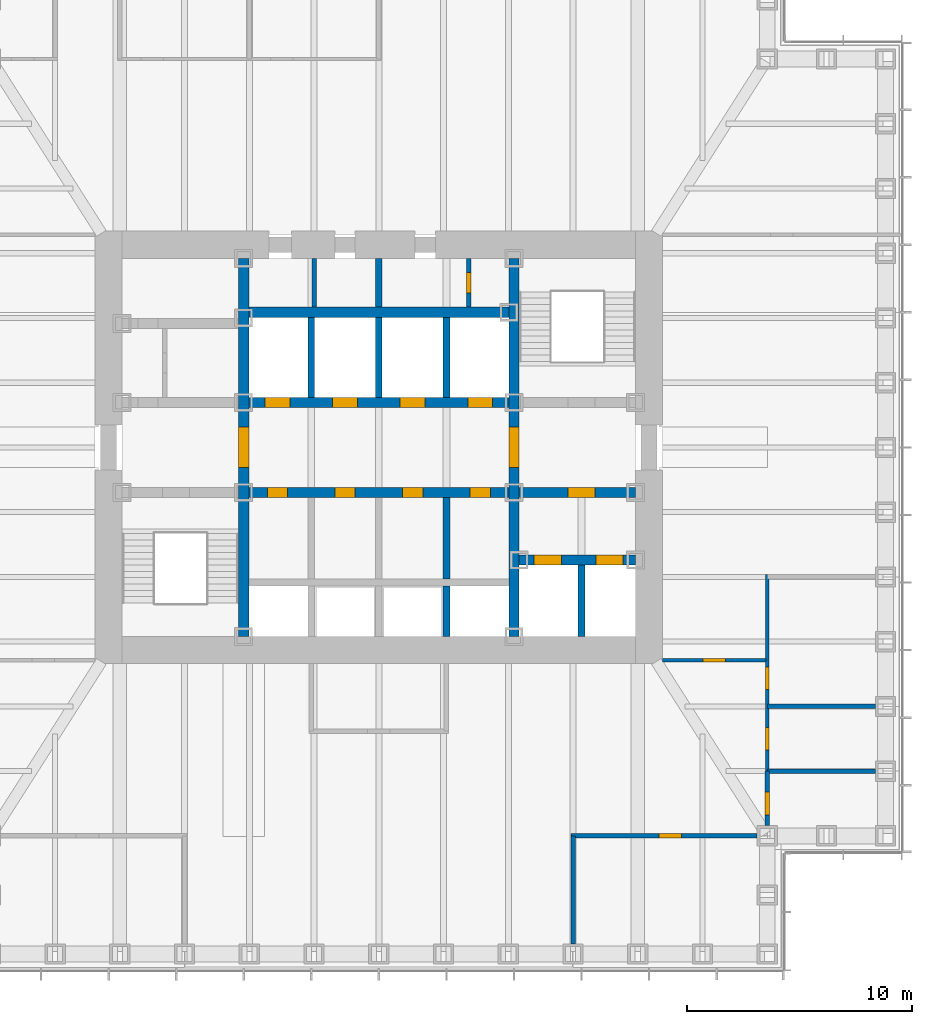
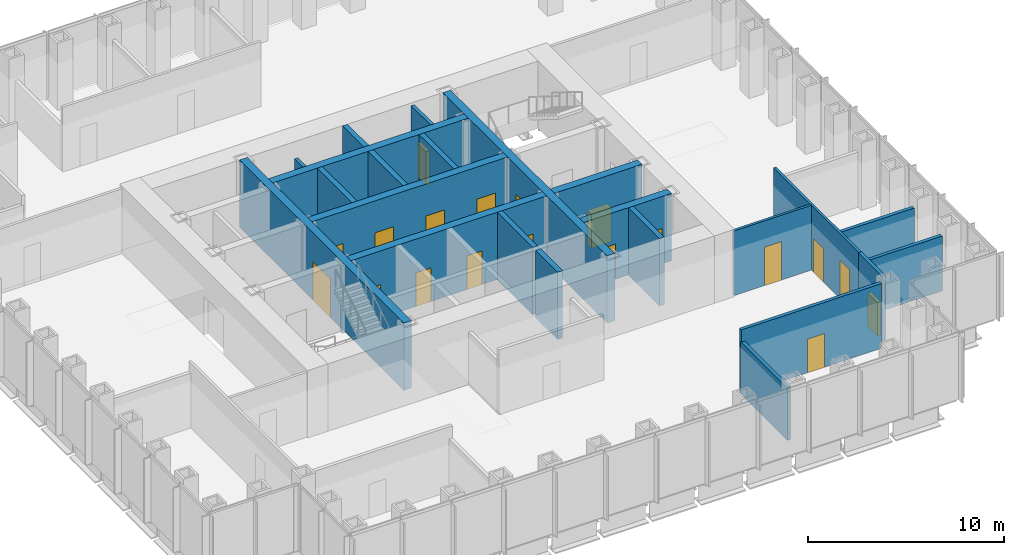
# One storey, part 9 of 16: 23 walls, 19 doors, 19 openings.
"""IFC4 building model written with IfcOpenShell, lengths in metres."""

from ifc_helpers import new_model, si_unit, direction, frame, frame_2d, origin, place, context, subcontext, project, spatial, rectangle, extrude, material, layer, layer_set, type_object, element, fill, save


model = new_model("IFC4")

# Units and contexts
model_context = context("Model", 3, precision=1e-05, world=origin(), true_north=direction((0.0, 1.0)))
body_context = subcontext(model_context, "Body", "Model", "MODEL_VIEW")
ifc_project = project(units=[si_unit("LENGTHUNIT", "METRE"), si_unit("AREAUNIT", "SQUARE_METRE"), si_unit("VOLUMEUNIT", "CUBIC_METRE"), si_unit("PLANEANGLEUNIT", "RADIAN"), si_unit("MASSUNIT", "GRAM", prefix="KILO")], contexts=[model_context])

# Site, building, storey
site_placement = place(None, origin())
site = spatial("IfcSite", under=ifc_project, at=site_placement, CompositionType="ELEMENT")
building_placement = place(site_placement, origin())
building = spatial("IfcBuilding", under=site, at=building_placement, Name="Daluyong Arena Tower", CompositionType="ELEMENT")
storey_placement = place(building_placement, frame((0.0, 0.0, 141.699951171875)))
storey = spatial("IfcBuildingStorey", under=building, at=storey_placement, Name="L31", CompositionType="ELEMENT", Elevation=141.699951171875)

# Wall, opening, door
ifc_material_1 = material(Name="Concrete fc' 45 MPa", Category="concrete")
ifc_layer_1 = layer(ifc_material_1, 0.449951171875)
ifc_layer_set_1 = layer_set([ifc_layer_1], Name="Concrete fc' 45 MPa")
wall_type_1 = type_object("IfcWallType", Name="Core inner wall 450", PredefinedType="SHEAR", material=ifc_layer_set_1)
wall_1_placement = place(storey_placement, frame((50.0, 71.60009765625, 0.0), z_axis=(0.0, 0.0, 1.0), x_axis=(0.0, 1.0, 0.0)))
wall_1 = element("IfcWall", 1, at=wall_1_placement, inside=storey, type_object=wall_type_1, Name="core inner wall at L31", PredefinedType="SHEAR", context=body_context, shape_type="SweptSolid", body=[
    extrude(rectangle(XDim=16.7998046875, YDim=0.449951171875, at=frame_2d((8.39990234375, 0.0))), origin(), (0.0, 0.0, 1.0), 4.199951171875),
])
opening_1_placement = place(wall_1_placement, frame((7.5, 0.0, 0.0)))
opening_1 = element("IfcOpeningElement", 2, at=opening_1_placement, cuts=wall_1, Name="Opening 31016", PredefinedType="OPENING", context=body_context, shape_type="SweptSolid", body=[
    extrude(rectangle(XDim=1.800048828125, YDim=2.39990234375, at=frame_2d((0.89990234375, 1.199951171875))), frame((0.0, 0.23486328125, 0.0), z_axis=(0.0, -1.0, 0.0), x_axis=(1.0, 0.0, 0.0)), (0.0, 0.0, 1.0), 0.469970703125),
])
ifc_material_2 = material(Name="Steel door, fire rated", Category="steel")
door_type_1 = type_object("IfcDoorType", Name="Lift lobby opening door 1800", OperationType="DOUBLE_DOOR_SINGLE_SWING", PredefinedType="DOOR", material=ifc_material_2)
door_1_placement = place(opening_1_placement, origin())
door_1 = element("IfcDoor", 3, at=door_1_placement, inside=storey, type_object=door_type_1, Name="lift lobby door west 31016", OperationType="DOUBLE_DOOR_SINGLE_SWING", OverallHeight=2.39990234375, OverallWidth=1.800048828125, PredefinedType="DOOR", context=body_context, shape_type="SweptSolid", body=[
    extrude(rectangle(XDim=1.800048828125, YDim=2.39990234375, at=frame_2d((0.89990234375, 1.199951171875))), frame((0.0, 0.224609375, 0.0), z_axis=(0.0, -1.0, 0.0), x_axis=(1.0, 0.0, 0.0)), (0.0, 0.0, 1.0), 0.449462890625),
])
fill(opening_1, door_1)

wall_2_placement = place(storey_placement, frame((62.0, 71.60009765625, 0.0), z_axis=(0.0, 0.0, 1.0), x_axis=(0.0, 1.0, 0.0)))
wall_2 = element("IfcWall", 4, at=wall_2_placement, inside=storey, type_object=wall_type_1, Name="core inner wall at L31", PredefinedType="SHEAR", context=body_context, shape_type="SweptSolid", body=[
    extrude(rectangle(XDim=16.7998046875, YDim=0.449951171875, at=frame_2d((8.39990234375, 0.0))), origin(), (0.0, 0.0, 1.0), 4.199951171875),
])
opening_2_placement = place(wall_2_placement, frame((7.5, 0.0, 0.0)))
opening_2 = element("IfcOpeningElement", 5, at=opening_2_placement, cuts=wall_2, Name="Opening 31017", PredefinedType="OPENING", context=body_context, shape_type="SweptSolid", body=[
    extrude(rectangle(XDim=1.800048828125, YDim=2.39990234375, at=frame_2d((0.89990234375, 1.199951171875))), frame((0.0, 0.23486328125, 0.0), z_axis=(0.0, -1.0, 0.0), x_axis=(1.0, 0.0, 0.0)), (0.0, 0.0, 1.0), 0.469970703125),
])
door_2_placement = place(opening_2_placement, origin())
door_2 = element("IfcDoor", 6, at=door_2_placement, inside=storey, type_object=door_type_1, Name="lift lobby door east 31017", OperationType="DOUBLE_DOOR_SINGLE_SWING", OverallHeight=2.39990234375, OverallWidth=1.800048828125, PredefinedType="DOOR", context=body_context, shape_type="SweptSolid", body=[
    extrude(rectangle(XDim=1.800048828125, YDim=2.39990234375, at=frame_2d((0.89990234375, 1.199951171875))), frame((0.0, 0.224609375, 0.0), z_axis=(0.0, -1.0, 0.0), x_axis=(1.0, 0.0, 0.0)), (0.0, 0.0, 1.0), 0.449462890625),
])
fill(opening_2, door_2)

# Wall, openings, doors
wall_3_placement = place(storey_placement, frame((62.22509765625, 75.0, 0.0), z_axis=(0.0, 0.0, 1.0), x_axis=(1.0, 0.0, 0.0)))
wall_3 = element("IfcWall", 7, at=wall_3_placement, inside=storey, type_object=wall_type_1, Name="core inner wall at L31", PredefinedType="SHEAR", context=body_context, shape_type="SweptSolid", body=[
    extrude(rectangle(XDim=5.1748046875, YDim=0.449951171875, at=frame_2d((2.58740234375, 0.0))), origin(), (0.0, 0.0, 1.0), 4.199951171875),
])
opening_3_placement = place(wall_3_placement, frame((0.675048828125, 0.0, 0.0)))
opening_3 = element("IfcOpeningElement", 8, at=opening_3_placement, cuts=wall_3, Name="Opening 31023", PredefinedType="OPENING", context=body_context, shape_type="SweptSolid", body=[
    extrude(rectangle(XDim=1.199951171875, YDim=2.199951171875, at=frame_2d((0.60009765625, 1.10009765625))), frame((0.0, 0.23486328125, 0.0), z_axis=(0.0, -1.0, 0.0), x_axis=(1.0, 0.0, 0.0)), (0.0, 0.0, 1.0), 0.469970703125),
])
opening_4_placement = place(wall_3_placement, frame((3.425048828125, 0.0, 0.0)))
opening_4 = element("IfcOpeningElement", 9, at=opening_4_placement, cuts=wall_3, Name="Opening 31024", PredefinedType="OPENING", context=body_context, shape_type="SweptSolid", body=[
    extrude(rectangle(XDim=1.199951171875, YDim=2.199951171875, at=frame_2d((0.60009765625, 1.10009765625))), frame((0.0, 0.23486328125, 0.0), z_axis=(0.0, -1.0, 0.0), x_axis=(1.0, 0.0, 0.0)), (0.0, 0.0, 1.0), 0.469970703125),
])
ifc_material_3 = material(Name="Steel door, fire rated", Category="steel")
door_type_2 = type_object("IfcDoorType", Name="Firefighting lift landing door 1200", OperationType="SLIDING_TO_LEFT", PredefinedType="DOOR", material=ifc_material_3)
door_3_placement = place(opening_3_placement, origin())
door_3 = element("IfcDoor", 10, at=door_3_placement, inside=storey, type_object=door_type_2, Name="firefighting lift landing door F1 31023", OperationType="SLIDING_TO_LEFT", OverallHeight=2.199951171875, OverallWidth=1.199951171875, PredefinedType="DOOR", context=body_context, shape_type="SweptSolid", body=[
    extrude(rectangle(XDim=1.199951171875, YDim=2.199951171875, at=frame_2d((0.60009765625, 1.10009765625))), frame((0.0, 0.224609375, 0.0), z_axis=(0.0, -1.0, 0.0), x_axis=(1.0, 0.0, 0.0)), (0.0, 0.0, 1.0), 0.449462890625),
])
fill(opening_3, door_3)
door_4_placement = place(opening_4_placement, origin())
door_4 = element("IfcDoor", 11, at=door_4_placement, inside=storey, type_object=door_type_2, Name="firefighting lift landing door F2 31024", OperationType="SLIDING_TO_LEFT", OverallHeight=2.199951171875, OverallWidth=1.199951171875, PredefinedType="DOOR", context=body_context, shape_type="SweptSolid", body=[
    extrude(rectangle(XDim=1.199951171875, YDim=2.199951171875, at=frame_2d((0.60009765625, 1.10009765625))), frame((0.0, 0.224609375, 0.0), z_axis=(0.0, -1.0, 0.0), x_axis=(1.0, 0.0, 0.0)), (0.0, 0.0, 1.0), 0.449462890625),
])
fill(opening_4, door_4)

# Wall, opening, door
wall_4_placement = place(storey_placement, frame((62.22509765625, 78.0, 0.0), z_axis=(0.0, 0.0, 1.0), x_axis=(1.0, 0.0, 0.0)))
wall_4 = element("IfcWall", 12, at=wall_4_placement, inside=storey, type_object=wall_type_1, Name="core inner wall at L31", PredefinedType="SHEAR", context=body_context, shape_type="SweptSolid", body=[
    extrude(rectangle(XDim=5.1748046875, YDim=0.449951171875, at=frame_2d((2.58740234375, 0.0))), origin(), (0.0, 0.0, 1.0), 4.199951171875),
])
opening_5_placement = place(wall_4_placement, frame((2.175048828125, 0.0, 0.0)))
opening_5 = element("IfcOpeningElement", 13, at=opening_5_placement, cuts=wall_4, Name="Opening 31018", PredefinedType="OPENING", context=body_context, shape_type="SweptSolid", body=[
    extrude(rectangle(XDim=1.199951171875, YDim=2.10009765625, at=frame_2d((0.60009765625, 1.050048828125))), frame((0.0, 0.23486328125, 0.0), z_axis=(0.0, -1.0, 0.0), x_axis=(1.0, 0.0, 0.0)), (0.0, 0.0, 1.0), 0.469970703125),
])
ifc_material_4 = material(Name="Steel door, fire rated", Category="steel")
door_type_3 = type_object("IfcDoorType", Name="Firefighting lobby door 1200", OperationType="SINGLE_SWING_RIGHT", PredefinedType="DOOR", material=ifc_material_4)
door_5_placement = place(opening_5_placement, origin())
door_5 = element("IfcDoor", 14, at=door_5_placement, inside=storey, type_object=door_type_3, Name="firefighting lobby door 31018", OperationType="SINGLE_SWING_RIGHT", OverallHeight=2.10009765625, OverallWidth=1.199951171875, PredefinedType="DOOR", context=body_context, shape_type="SweptSolid", body=[
    extrude(rectangle(XDim=1.199951171875, YDim=2.10009765625, at=frame_2d((0.60009765625, 1.050048828125))), frame((0.0, 0.224609375, 0.0), z_axis=(0.0, -1.0, 0.0), x_axis=(1.0, 0.0, 0.0)), (0.0, 0.0, 1.0), 0.449462890625),
])
fill(opening_5, door_5)

# Wall, openings, doors
wall_5_placement = place(storey_placement, frame((50.22509765625, 78.0, 0.0), z_axis=(0.0, 0.0, 1.0), x_axis=(1.0, 0.0, 0.0)))
wall_5 = element("IfcWall", 15, at=wall_5_placement, inside=storey, type_object=wall_type_1, Name="core inner wall at L31", PredefinedType="SHEAR", context=body_context, shape_type="SweptSolid", body=[
    extrude(rectangle(XDim=11.5498046875, YDim=0.449951171875, at=frame_2d((5.77490234375, 0.0))), origin(), (0.0, 0.0, 1.0), 4.199951171875),
])
opening_6_placement = place(wall_5_placement, frame((0.824951171875, 0.0, 0.0)))
opening_6 = element("IfcOpeningElement", 16, at=opening_6_placement, cuts=wall_5, Name="Opening 31008", PredefinedType="OPENING", context=body_context, shape_type="SweptSolid", body=[
    extrude(rectangle(XDim=0.89990234375, YDim=2.10009765625, at=frame_2d((0.449951171875, 1.050048828125))), frame((0.0, 0.23486328125, 0.0), z_axis=(0.0, -1.0, 0.0), x_axis=(1.0, 0.0, 0.0)), (0.0, 0.0, 1.0), 0.469970703125),
])
opening_7_placement = place(wall_5_placement, frame((3.824951171875, 0.0, 0.0)))
opening_7 = element("IfcOpeningElement", 17, at=opening_7_placement, cuts=wall_5, Name="Opening 31009", PredefinedType="OPENING", context=body_context, shape_type="SweptSolid", body=[
    extrude(rectangle(XDim=0.89990234375, YDim=2.10009765625, at=frame_2d((0.449951171875, 1.050048828125))), frame((0.0, 0.23486328125, 0.0), z_axis=(0.0, -1.0, 0.0), x_axis=(1.0, 0.0, 0.0)), (0.0, 0.0, 1.0), 0.469970703125),
])
opening_8_placement = place(wall_5_placement, frame((6.824951171875, 0.0, 0.0)))
opening_8 = element("IfcOpeningElement", 18, at=opening_8_placement, cuts=wall_5, Name="Opening 31010", PredefinedType="OPENING", context=body_context, shape_type="SweptSolid", body=[
    extrude(rectangle(XDim=0.89990234375, YDim=2.10009765625, at=frame_2d((0.449951171875, 1.050048828125))), frame((0.0, 0.23486328125, 0.0), z_axis=(0.0, -1.0, 0.0), x_axis=(1.0, 0.0, 0.0)), (0.0, 0.0, 1.0), 0.469970703125),
])
opening_9_placement = place(wall_5_placement, frame((9.824951171875, 0.0, 0.0)))
opening_9 = element("IfcOpeningElement", 19, at=opening_9_placement, cuts=wall_5, Name="Opening 31011", PredefinedType="OPENING", context=body_context, shape_type="SweptSolid", body=[
    extrude(rectangle(XDim=0.89990234375, YDim=2.10009765625, at=frame_2d((0.449951171875, 1.050048828125))), frame((0.0, 0.23486328125, 0.0), z_axis=(0.0, -1.0, 0.0), x_axis=(1.0, 0.0, 0.0)), (0.0, 0.0, 1.0), 0.469970703125),
])
ifc_material_5 = material(Name="Steel door, fire rated", Category="steel")
door_type_4 = type_object("IfcDoorType", Name="Core room door 900", OperationType="SINGLE_SWING_LEFT", PredefinedType="DOOR", material=ifc_material_5)
door_6_placement = place(opening_7_placement, origin())
door_6 = element("IfcDoor", 20, at=door_6_placement, inside=storey, type_object=door_type_4, Name="print room door 31009", OperationType="SINGLE_SWING_LEFT", OverallHeight=2.10009765625, OverallWidth=0.89990234375, PredefinedType="DOOR", context=body_context, shape_type="SweptSolid", body=[
    extrude(rectangle(XDim=0.89990234375, YDim=2.10009765625, at=frame_2d((0.449951171875, 1.050048828125))), frame((0.0, 0.224609375, 0.0), z_axis=(0.0, -1.0, 0.0), x_axis=(1.0, 0.0, 0.0)), (0.0, 0.0, 1.0), 0.449462890625),
])
fill(opening_7, door_6)
door_7_placement = place(opening_9_placement, origin())
door_7 = element("IfcDoor", 21, at=door_7_placement, inside=storey, type_object=door_type_4, Name="mail room door 31011", OperationType="SINGLE_SWING_LEFT", OverallHeight=2.10009765625, OverallWidth=0.89990234375, PredefinedType="DOOR", context=body_context, shape_type="SweptSolid", body=[
    extrude(rectangle(XDim=0.89990234375, YDim=2.10009765625, at=frame_2d((0.449951171875, 1.050048828125))), frame((0.0, 0.224609375, 0.0), z_axis=(0.0, -1.0, 0.0), x_axis=(1.0, 0.0, 0.0)), (0.0, 0.0, 1.0), 0.449462890625),
])
fill(opening_9, door_7)
ifc_material_6 = material(Name="Steel door, fire rated", Category="steel")
door_type_5 = type_object("IfcDoorType", Name="Core store door 900", OperationType="SINGLE_SWING_LEFT", PredefinedType="DOOR", material=ifc_material_6)
door_8_placement = place(opening_6_placement, origin())
door_8 = element("IfcDoor", 22, at=door_8_placement, inside=storey, type_object=door_type_5, Name="furniture store door 31008", OperationType="SINGLE_SWING_LEFT", OverallHeight=2.10009765625, OverallWidth=0.89990234375, PredefinedType="DOOR", context=body_context, shape_type="SweptSolid", body=[
    extrude(rectangle(XDim=0.89990234375, YDim=2.10009765625, at=frame_2d((0.449951171875, 1.050048828125))), frame((0.0, 0.224609375, 0.0), z_axis=(0.0, -1.0, 0.0), x_axis=(1.0, 0.0, 0.0)), (0.0, 0.0, 1.0), 0.449462890625),
])
fill(opening_6, door_8)
door_9_placement = place(opening_8_placement, origin())
door_9 = element("IfcDoor", 23, at=door_9_placement, inside=storey, type_object=door_type_5, Name="tenant store door 31010", OperationType="SINGLE_SWING_LEFT", OverallHeight=2.10009765625, OverallWidth=0.89990234375, PredefinedType="DOOR", context=body_context, shape_type="SweptSolid", body=[
    extrude(rectangle(XDim=0.89990234375, YDim=2.10009765625, at=frame_2d((0.449951171875, 1.050048828125))), frame((0.0, 0.224609375, 0.0), z_axis=(0.0, -1.0, 0.0), x_axis=(1.0, 0.0, 0.0)), (0.0, 0.0, 1.0), 0.449462890625),
])
fill(opening_8, door_9)

wall_6_placement = place(storey_placement, frame((50.22509765625, 82.0, 0.0), z_axis=(0.0, 0.0, 1.0), x_axis=(1.0, 0.0, 0.0)))
wall_6 = element("IfcWall", 24, at=wall_6_placement, inside=storey, type_object=wall_type_1, Name="core inner wall at L31", PredefinedType="SHEAR", context=body_context, shape_type="SweptSolid", body=[
    extrude(rectangle(XDim=11.5498046875, YDim=0.449951171875, at=frame_2d((5.77490234375, 0.0))), origin(), (0.0, 0.0, 1.0), 4.199951171875),
])
opening_10_placement = place(wall_6_placement, frame((0.72509765625, 0.0, 0.0)))
opening_10 = element("IfcOpeningElement", 25, at=opening_10_placement, cuts=wall_6, Name="Opening 31019", PredefinedType="OPENING", context=body_context, shape_type="SweptSolid", body=[
    extrude(rectangle(XDim=1.10009765625, YDim=2.199951171875, at=frame_2d((0.550048828125, 1.10009765625))), frame((0.0, 0.23486328125, 0.0), z_axis=(0.0, -1.0, 0.0), x_axis=(1.0, 0.0, 0.0)), (0.0, 0.0, 1.0), 0.469970703125),
])
opening_11_placement = place(wall_6_placement, frame((3.72509765625, 0.0, 0.0)))
opening_11 = element("IfcOpeningElement", 26, at=opening_11_placement, cuts=wall_6, Name="Opening 31020", PredefinedType="OPENING", context=body_context, shape_type="SweptSolid", body=[
    extrude(rectangle(XDim=1.10009765625, YDim=2.199951171875, at=frame_2d((0.550048828125, 1.10009765625))), frame((0.0, 0.23486328125, 0.0), z_axis=(0.0, -1.0, 0.0), x_axis=(1.0, 0.0, 0.0)), (0.0, 0.0, 1.0), 0.469970703125),
])
opening_12_placement = place(wall_6_placement, frame((6.72509765625, 0.0, 0.0)))
opening_12 = element("IfcOpeningElement", 27, at=opening_12_placement, cuts=wall_6, Name="Opening 31021", PredefinedType="OPENING", context=body_context, shape_type="SweptSolid", body=[
    extrude(rectangle(XDim=1.10009765625, YDim=2.199951171875, at=frame_2d((0.550048828125, 1.10009765625))), frame((0.0, 0.23486328125, 0.0), z_axis=(0.0, -1.0, 0.0), x_axis=(1.0, 0.0, 0.0)), (0.0, 0.0, 1.0), 0.469970703125),
])
opening_13_placement = place(wall_6_placement, frame((9.72509765625, 0.0, 0.0)))
opening_13 = element("IfcOpeningElement", 28, at=opening_13_placement, cuts=wall_6, Name="Opening 31022", PredefinedType="OPENING", context=body_context, shape_type="SweptSolid", body=[
    extrude(rectangle(XDim=1.10009765625, YDim=2.199951171875, at=frame_2d((0.550048828125, 1.10009765625))), frame((0.0, 0.23486328125, 0.0), z_axis=(0.0, -1.0, 0.0), x_axis=(1.0, 0.0, 0.0)), (0.0, 0.0, 1.0), 0.469970703125),
])
ifc_material_7 = material(Name="Steel door, fire rated", Category="steel")
door_type_6 = type_object("IfcDoorType", Name="Lift landing door 1100", OperationType="SLIDING_TO_LEFT", PredefinedType="DOOR", material=ifc_material_7)
door_10_placement = place(opening_10_placement, origin())
door_10 = element("IfcDoor", 29, at=door_10_placement, inside=storey, type_object=door_type_6, Name="lift landing door B1 31019", OperationType="SLIDING_TO_LEFT", OverallHeight=2.199951171875, OverallWidth=1.10009765625, PredefinedType="DOOR", context=body_context, shape_type="SweptSolid", body=[
    extrude(rectangle(XDim=1.10009765625, YDim=2.199951171875, at=frame_2d((0.550048828125, 1.10009765625))), frame((0.0, 0.224609375, 0.0), z_axis=(0.0, -1.0, 0.0), x_axis=(1.0, 0.0, 0.0)), (0.0, 0.0, 1.0), 0.449462890625),
])
fill(opening_10, door_10)
door_11_placement = place(opening_11_placement, origin())
door_11 = element("IfcDoor", 30, at=door_11_placement, inside=storey, type_object=door_type_6, Name="lift landing door B2 31020", OperationType="SLIDING_TO_LEFT", OverallHeight=2.199951171875, OverallWidth=1.10009765625, PredefinedType="DOOR", context=body_context, shape_type="SweptSolid", body=[
    extrude(rectangle(XDim=1.10009765625, YDim=2.199951171875, at=frame_2d((0.550048828125, 1.10009765625))), frame((0.0, 0.224609375, 0.0), z_axis=(0.0, -1.0, 0.0), x_axis=(1.0, 0.0, 0.0)), (0.0, 0.0, 1.0), 0.449462890625),
])
fill(opening_11, door_11)
door_12_placement = place(opening_12_placement, origin())
door_12 = element("IfcDoor", 31, at=door_12_placement, inside=storey, type_object=door_type_6, Name="lift landing door B3 31021", OperationType="SLIDING_TO_LEFT", OverallHeight=2.199951171875, OverallWidth=1.10009765625, PredefinedType="DOOR", context=body_context, shape_type="SweptSolid", body=[
    extrude(rectangle(XDim=1.10009765625, YDim=2.199951171875, at=frame_2d((0.550048828125, 1.10009765625))), frame((0.0, 0.224609375, 0.0), z_axis=(0.0, -1.0, 0.0), x_axis=(1.0, 0.0, 0.0)), (0.0, 0.0, 1.0), 0.449462890625),
])
fill(opening_12, door_12)
door_13_placement = place(opening_13_placement, origin())
door_13 = element("IfcDoor", 32, at=door_13_placement, inside=storey, type_object=door_type_6, Name="lift landing door B4 31022", OperationType="SLIDING_TO_LEFT", OverallHeight=2.199951171875, OverallWidth=1.10009765625, PredefinedType="DOOR", context=body_context, shape_type="SweptSolid", body=[
    extrude(rectangle(XDim=1.10009765625, YDim=2.199951171875, at=frame_2d((0.550048828125, 1.10009765625))), frame((0.0, 0.224609375, 0.0), z_axis=(0.0, -1.0, 0.0), x_axis=(1.0, 0.0, 0.0)), (0.0, 0.0, 1.0), 0.449462890625),
])
fill(opening_13, door_13)

# Walls
wall_7_placement = place(storey_placement, frame((50.22509765625, 86.0, 0.0), z_axis=(0.0, 0.0, 1.0), x_axis=(1.0, 0.0, 0.0)))
element("IfcWall", 33, at=wall_7_placement, inside=storey, type_object=wall_type_1, Name="core inner wall at L31", PredefinedType="SHEAR", context=body_context, shape_type="SweptSolid", body=[
    extrude(rectangle(XDim=11.5498046875, YDim=0.449951171875, at=frame_2d((5.77490234375, 0.0))), origin(), (0.0, 0.0, 1.0), 4.199951171875),
])
ifc_material_8 = material(Name="Concrete block partition, fire rated", Category="concrete")
ifc_layer_2 = layer(ifc_material_8, 0.199951171875)
ifc_layer_set_2 = layer_set([ifc_layer_2], Name="Concrete block partition, fire rated")
wall_type_2 = type_object("IfcWallType", Name="Fire-rated partition 200", PredefinedType="PARTITIONING", material=ifc_layer_set_2)
wall_8_placement = place(storey_placement, frame((53.125, 86.22509765625, 0.0), z_axis=(0.0, 0.0, 1.0), x_axis=(0.0, 1.0, 0.0)))
element("IfcWall", 34, at=wall_8_placement, inside=storey, type_object=wall_type_2, Name="core room partition at L31", PredefinedType="PARTITIONING", context=body_context, shape_type="SweptSolid", body=[
    extrude(rectangle(XDim=2.1748046875, YDim=0.199951171875, at=frame_2d((1.08740234375, 0.0))), origin(), (0.0, 0.0, 1.0), 3.14013671875),
])

# Wall, opening, door
wall_9_placement = place(storey_placement, frame((60.0, 86.22509765625, 0.0), z_axis=(0.0, 0.0, 1.0), x_axis=(0.0, 1.0, 0.0)))
wall_9 = element("IfcWall", 35, at=wall_9_placement, inside=storey, type_object=wall_type_2, Name="electrical riser enclosure at L31", PredefinedType="PARTITIONING", context=body_context, shape_type="SweptSolid", body=[
    extrude(rectangle(XDim=2.1748046875, YDim=0.199951171875, at=frame_2d((1.08740234375, 0.0))), origin(), (0.0, 0.0, 1.0), 4.0400390625),
])
opening_14_placement = place(wall_9_placement, frame((0.637451171875, 0.0, 0.0)))
opening_14 = element("IfcOpeningElement", 36, at=opening_14_placement, cuts=wall_9, Name="Opening 31007", PredefinedType="OPENING", context=body_context, shape_type="SweptSolid", body=[
    extrude(rectangle(XDim=0.89990234375, YDim=2.10009765625, at=frame_2d((0.449951171875, 1.050048828125))), frame((0.0, 0.10986328125, 0.0), z_axis=(0.0, -1.0, 0.0), x_axis=(1.0, 0.0, 0.0)), (0.0, 0.0, 1.0), 0.219970703125),
])
ifc_material_9 = material(Name="Steel door, fire rated", Category="steel")
door_type_7 = type_object("IfcDoorType", Name="Riser door 900", OperationType="SINGLE_SWING_LEFT", PredefinedType="DOOR", material=ifc_material_9)
door_14_placement = place(opening_14_placement, origin())
door_14 = element("IfcDoor", 37, at=door_14_placement, inside=storey, type_object=door_type_7, Name="riser door 31007", OperationType="SINGLE_SWING_LEFT", OverallHeight=2.10009765625, OverallWidth=0.89990234375, PredefinedType="DOOR", context=body_context, shape_type="SweptSolid", body=[
    extrude(rectangle(XDim=0.89990234375, YDim=2.10009765625, at=frame_2d((0.449951171875, 1.050048828125))), frame((0.0, 0.099609375, 0.0), z_axis=(0.0, -1.0, 0.0), x_axis=(1.0, 0.0, 0.0)), (0.0, 0.0, 1.0), 0.199462890625),
])
fill(opening_14, door_14)

ifc_material_10 = material(Name="Glazed aluminium partition", Category="aluminium")
ifc_layer_3 = layer(ifc_material_10, 0.14990234375)
ifc_layer_set_3 = layer_set([ifc_layer_3], Name="Glazed aluminium partition")
wall_type_3 = type_object("IfcWallType", Name="Glazed partition 150", PredefinedType="PARTITIONING", material=ifc_layer_set_3)
wall_10_placement = place(storey_placement, frame((68.60009765625, 70.550048828125, 0.0), z_axis=(0.0, 0.0, 1.0), x_axis=(1.0, 0.0, 0.0)))
wall_10 = element("IfcWall", 38, at=wall_10_placement, inside=storey, type_object=wall_type_3, Name="glazed partition at L31", PredefinedType="PARTITIONING", context=body_context, shape_type="SweptSolid", body=[
    extrude(rectangle(XDim=4.599853515625, YDim=0.14990234375, at=frame_2d((2.2998046875, 0.0))), origin(), (0.0, 0.0, 1.0), 4.0400390625),
])
opening_15_placement = place(wall_10_placement, frame((1.800048828125, 0.0, 0.0)))
opening_15 = element("IfcOpeningElement", 39, at=opening_15_placement, cuts=wall_10, Name="Opening 31038", PredefinedType="OPENING", context=body_context, shape_type="SweptSolid", body=[
    extrude(rectangle(XDim=1.0, YDim=2.39990234375, at=frame_2d((0.5, 1.199951171875))), frame((0.0, 0.0849609375, 0.0), z_axis=(0.0, -1.0, 0.0), x_axis=(1.0, 0.0, 0.0)), (0.0, 0.0, 1.0), 0.169921875),
])
ifc_material_11 = material(Name="Glazed aluminium door", Category="aluminium")
door_type_8 = type_object("IfcDoorType", Name="Meeting room glazed door 1000", OperationType="SINGLE_SWING_RIGHT", PredefinedType="DOOR", material=ifc_material_11)
door_15_placement = place(opening_15_placement, origin())
door_15 = element("IfcDoor", 40, at=door_15_placement, inside=storey, type_object=door_type_8, Name="team area screen door 31038", OperationType="SINGLE_SWING_RIGHT", OverallHeight=2.39990234375, OverallWidth=1.0, PredefinedType="DOOR", context=body_context, shape_type="SweptSolid", body=[
    extrude(rectangle(XDim=1.0, YDim=2.39990234375, at=frame_2d((0.5, 1.199951171875))), frame((0.0, 0.07470703125, 0.0), z_axis=(0.0, -1.0, 0.0), x_axis=(1.0, 0.0, 0.0)), (0.0, 0.0, 1.0), 0.1494140625),
])
fill(opening_15, door_15)

# Wall, openings, doors
wall_11_placement = place(storey_placement, frame((73.25, 65.625, 0.0), z_axis=(0.0, 0.0, 1.0), x_axis=(0.0, 1.0, 0.0)))
wall_11 = element("IfcWall", 41, at=wall_11_placement, inside=storey, type_object=wall_type_3, Name="glazed partition at L31", PredefinedType="PARTITIONING", context=body_context, shape_type="SweptSolid", body=[
    extrude(rectangle(XDim=8.72509765625, YDim=0.14990234375, at=frame_2d((4.362548828125, 0.0))), origin(), (0.0, 0.0, 1.0), 4.0400390625),
])
opening_16_placement = place(wall_11_placement, frame((0.9375, 0.0, 0.0)))
opening_16 = element("IfcOpeningElement", 42, at=opening_16_placement, cuts=wall_11, Name="Opening 31028", PredefinedType="OPENING", context=body_context, shape_type="SweptSolid", body=[
    extrude(rectangle(XDim=1.0, YDim=2.39990234375, at=frame_2d((0.5, 1.199951171875))), frame((0.0, 0.0849609375, 0.0), z_axis=(0.0, -1.0, 0.0), x_axis=(1.0, 0.0, 0.0)), (0.0, 0.0, 1.0), 0.169921875),
])
opening_17_placement = place(wall_11_placement, frame((3.625, 0.0, 0.0)))
opening_17 = element("IfcOpeningElement", 43, at=opening_17_placement, cuts=wall_11, Name="Opening 31029", PredefinedType="OPENING", context=body_context, shape_type="SweptSolid", body=[
    extrude(rectangle(XDim=1.0, YDim=2.10009765625, at=frame_2d((0.5, 1.050048828125))), frame((0.0, 0.0849609375, 0.0), z_axis=(0.0, -1.0, 0.0), x_axis=(1.0, 0.0, 0.0)), (0.0, 0.0, 1.0), 0.169921875),
])
door_16_placement = place(opening_16_placement, origin())
door_16 = element("IfcDoor", 44, at=door_16_placement, inside=storey, type_object=door_type_8, Name="focus room door 31028", OperationType="SINGLE_SWING_RIGHT", OverallHeight=2.39990234375, OverallWidth=1.0, PredefinedType="DOOR", context=body_context, shape_type="SweptSolid", body=[
    extrude(rectangle(XDim=1.0, YDim=2.39990234375, at=frame_2d((0.5, 1.199951171875))), frame((0.0, 0.07470703125, 0.0), z_axis=(0.0, -1.0, 0.0), x_axis=(1.0, 0.0, 0.0)), (0.0, 0.0, 1.0), 0.1494140625),
])
fill(opening_16, door_16)
ifc_material_12 = material(Name="Timber door", Category="wood")
door_type_9 = type_object("IfcDoorType", Name="Room door 1000", OperationType="SINGLE_SWING_LEFT", PredefinedType="DOOR", material=ifc_material_12)
door_17_placement = place(opening_17_placement, origin())
door_17 = element("IfcDoor", 45, at=door_17_placement, inside=storey, type_object=door_type_9, Name="office door 31029", OperationType="SINGLE_SWING_LEFT", OverallHeight=2.10009765625, OverallWidth=1.0, PredefinedType="DOOR", context=body_context, shape_type="SweptSolid", body=[
    extrude(rectangle(XDim=1.0, YDim=2.10009765625, at=frame_2d((0.5, 1.050048828125))), frame((0.0, 0.07470703125, 0.0), z_axis=(0.0, -1.0, 0.0), x_axis=(1.0, 0.0, 0.0)), (0.0, 0.0, 1.0), 0.1494140625),
])
fill(opening_17, door_17)

# Walls
ifc_material_13 = material(Name="Concrete fc' 45 MPa", Category="concrete")
ifc_layer_4 = layer(ifc_material_13, 0.300048828125)
ifc_layer_set_4 = layer_set([ifc_layer_4], Name="Concrete fc' 45 MPa")
wall_type_4 = type_object("IfcWallType", Name="Lift shaft wall 300", PredefinedType="SHEAR", material=ifc_layer_set_4)
for number, where, z_axis, x_axis, name in (
    (46, (53.0, 82.22509765625, 0.0), (0.0, 0.0, 1.0), (0.0, 1.0, 0.0), "lift shaft wall at L31"),
    (47, (56.0, 82.22509765625, 0.0), (0.0, 0.0, 1.0), (0.0, 1.0, 0.0), "lift shaft wall at L31"),
):
    element("IfcWall", number, at=place(storey_placement, frame(where, z_axis=z_axis, x_axis=x_axis)), inside=storey, type_object=wall_type_4, Name=name, PredefinedType="SHEAR", context=body_context, shape_type="SweptSolid", body=[
        extrude(rectangle(XDim=3.5498046875, YDim=0.300048828125, at=frame_2d((1.77490234375, 0.0))), origin(), (0.0, 0.0, 1.0), 4.199951171875),
    ])
wall_12_placement = place(storey_placement, frame((59.0, 71.60009765625, 0.0), z_axis=(0.0, 0.0, 1.0), x_axis=(0.0, 1.0, 0.0)))
element("IfcWall", 48, at=wall_12_placement, inside=storey, type_object=wall_type_4, Name="lift shaft wall at L31", PredefinedType="SHEAR", context=body_context, shape_type="SweptSolid", body=[
    extrude(rectangle(XDim=2.25, YDim=0.300048828125, at=frame_2d((1.125, 0.0))), origin(), (0.0, 0.0, 1.0), 4.199951171875),
])
wall_13_placement = place(storey_placement, frame((59.0, 74.14990234375, 0.0), z_axis=(0.0, 0.0, 1.0), x_axis=(0.0, 1.0, 0.0)))
element("IfcWall", 49, at=wall_13_placement, inside=storey, type_object=wall_type_4, Name="lift shaft wall at L31", PredefinedType="SHEAR", context=body_context, shape_type="SweptSolid", body=[
    extrude(rectangle(XDim=3.625, YDim=0.300048828125, at=frame_2d((1.8125, 0.0))), origin(), (0.0, 0.0, 1.0), 4.199951171875),
])
wall_14_placement = place(storey_placement, frame((59.0, 82.22509765625, 0.0), z_axis=(0.0, 0.0, 1.0), x_axis=(0.0, 1.0, 0.0)))
element("IfcWall", 50, at=wall_14_placement, inside=storey, type_object=wall_type_4, Name="lift shaft wall at L31", PredefinedType="SHEAR", context=body_context, shape_type="SweptSolid", body=[
    extrude(rectangle(XDim=3.5498046875, YDim=0.300048828125, at=frame_2d((1.77490234375, 0.0))), origin(), (0.0, 0.0, 1.0), 4.199951171875),
])
wall_15_placement = place(storey_placement, frame((65.0, 71.60009765625, 0.0), z_axis=(0.0, 0.0, 1.0), x_axis=(0.0, 1.0, 0.0)))
element("IfcWall", 51, at=wall_15_placement, inside=storey, type_object=wall_type_4, Name="lift shaft wall at L31", PredefinedType="SHEAR", context=body_context, shape_type="SweptSolid", body=[
    extrude(rectangle(XDim=3.1748046875, YDim=0.300048828125, at=frame_2d((1.58740234375, 0.0))), origin(), (0.0, 0.0, 1.0), 4.199951171875),
])
wall_16_placement = place(storey_placement, frame((56.0, 86.22509765625, 0.0), z_axis=(0.0, 0.0, 1.0), x_axis=(0.0, 1.0, 0.0)))
element("IfcWall", 52, at=wall_16_placement, inside=storey, type_object=wall_type_4, Name="lift shaft wall at L31", PredefinedType="SHEAR", context=body_context, shape_type="SweptSolid", body=[
    extrude(rectangle(XDim=2.1748046875, YDim=0.300048828125, at=frame_2d((1.08740234375, 0.0))), origin(), (0.0, 0.0, 1.0), 4.199951171875),
])
ifc_material_14 = material(Name="Concrete block partition", Category="concrete")
ifc_layer_5 = layer(ifc_material_14, 0.199951171875)
ifc_layer_set_5 = layer_set([ifc_layer_5], Name="Concrete block partition")
wall_type_5 = type_object("IfcWallType", Name="Partition 200", PredefinedType="PARTITIONING", material=ifc_layer_set_5)
wall_17_placement = place(storey_placement, frame((64.625, 57.949951171875, 0.0), z_axis=(0.0, 0.0, 1.0), x_axis=(0.0, 1.0, 0.0)))
element("IfcWall", 53, at=wall_17_placement, inside=storey, type_object=wall_type_5, Name="partition at L31", PredefinedType="PARTITIONING", context=body_context, shape_type="SweptSolid", body=[
    extrude(rectangle(XDim=4.800048828125, YDim=0.199951171875, at=frame_2d((2.39990234375, 0.0))), origin(), (0.0, 0.0, 1.0), 3.278076171875),
])
for number, where, z_axis, x_axis, name in (
    (54, (73.25, 65.625, 0.0), (0.0, 0.0, 1.0), (1.0, 0.0, 0.0), "partition at L31"),
    (55, (73.25, 68.5, 0.0), (0.0, 0.0, 1.0), (1.0, 0.0, 0.0), "partition at L31"),
):
    element("IfcWall", number, at=place(storey_placement, frame(where, z_axis=z_axis, x_axis=x_axis)), inside=storey, type_object=wall_type_5, Name=name, PredefinedType="PARTITIONING", context=body_context, shape_type="SweptSolid", body=[
        extrude(rectangle(XDim=4.800048828125, YDim=0.199951171875, at=frame_2d((2.39990234375, 0.0))), origin(), (0.0, 0.0, 1.0), 3.427978515625),
    ])

# Wall, opening, door
wall_18_placement = place(storey_placement, frame((64.52490234375, 62.75, 0.0), z_axis=(0.0, 0.0, 1.0), x_axis=(1.0, 0.0, 0.0)))
wall_18 = element("IfcWall", 56, at=wall_18_placement, inside=storey, type_object=wall_type_5, Name="partition at L31", PredefinedType="PARTITIONING", context=body_context, shape_type="SweptSolid", body=[
    extrude(rectangle(XDim=8.275146484375, YDim=0.199951171875, at=frame_2d((4.1376953125, 0.0))), origin(), (0.0, 0.0, 1.0), 4.0400390625),
])
opening_18_placement = place(wall_18_placement, frame((3.91259765625, 0.0, 0.0)))
opening_18 = element("IfcOpeningElement", 57, at=opening_18_placement, cuts=wall_18, Name="Opening 31026", PredefinedType="OPENING", context=body_context, shape_type="SweptSolid", body=[
    extrude(rectangle(XDim=1.0, YDim=2.10009765625, at=frame_2d((0.5, 1.050048828125))), frame((0.0, 0.10986328125, 0.0), z_axis=(0.0, -1.0, 0.0), x_axis=(1.0, 0.0, 0.0)), (0.0, 0.0, 1.0), 0.219970703125),
])
door_18_placement = place(opening_18_placement, origin())
door_18 = element("IfcDoor", 58, at=door_18_placement, inside=storey, type_object=door_type_9, Name="training room door 31026", OperationType="SINGLE_SWING_LEFT", OverallHeight=2.10009765625, OverallWidth=1.0, PredefinedType="DOOR", context=body_context, shape_type="SweptSolid", body=[
    extrude(rectangle(XDim=1.0, YDim=2.10009765625, at=frame_2d((0.5, 1.050048828125))), frame((0.0, 0.099609375, 0.0), z_axis=(0.0, -1.0, 0.0), x_axis=(1.0, 0.0, 0.0)), (0.0, 0.0, 1.0), 0.199462890625),
])
fill(opening_18, door_18)

wall_19_placement = place(storey_placement, frame((73.25, 63.199951171875, 0.0), z_axis=(0.0, 0.0, 1.0), x_axis=(0.0, 1.0, 0.0)))
wall_19 = element("IfcWall", 59, at=wall_19_placement, inside=storey, type_object=wall_type_5, Name="partition at L31", PredefinedType="PARTITIONING", context=body_context, shape_type="SweptSolid", body=[
    extrude(rectangle(XDim=2.425048828125, YDim=0.199951171875, at=frame_2d((1.21240234375, 0.0))), origin(), (0.0, 0.0, 1.0), 4.0400390625),
])
opening_19_placement = place(wall_19_placement, frame((0.487548828125, 0.0, 0.0)))
opening_19 = element("IfcOpeningElement", 60, at=opening_19_placement, cuts=wall_19, Name="Opening 31027", PredefinedType="OPENING", context=body_context, shape_type="SweptSolid", body=[
    extrude(rectangle(XDim=1.0, YDim=2.10009765625, at=frame_2d((0.5, 1.050048828125))), frame((0.0, 0.10986328125, 0.0), z_axis=(0.0, -1.0, 0.0), x_axis=(1.0, 0.0, 0.0)), (0.0, 0.0, 1.0), 0.219970703125),
])
door_19_placement = place(opening_19_placement, origin())
door_19 = element("IfcDoor", 61, at=door_19_placement, inside=storey, type_object=door_type_9, Name="wellness room door 31027", OperationType="SINGLE_SWING_LEFT", OverallHeight=2.10009765625, OverallWidth=1.0, PredefinedType="DOOR", context=body_context, shape_type="SweptSolid", body=[
    extrude(rectangle(XDim=1.0, YDim=2.10009765625, at=frame_2d((0.5, 1.050048828125))), frame((0.0, 0.099609375, 0.0), z_axis=(0.0, -1.0, 0.0), x_axis=(1.0, 0.0, 0.0)), (0.0, 0.0, 1.0), 0.199462890625),
])
fill(opening_19, door_19)

save(model, "model.ifc")
